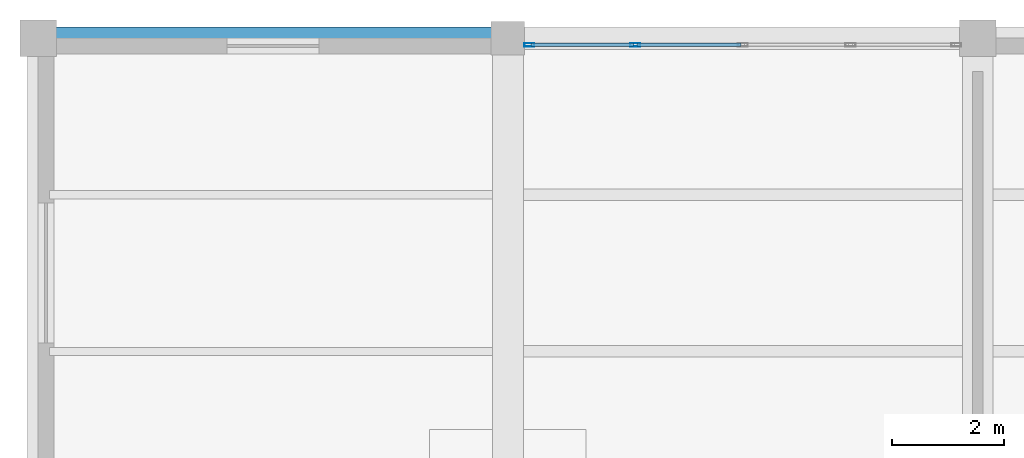
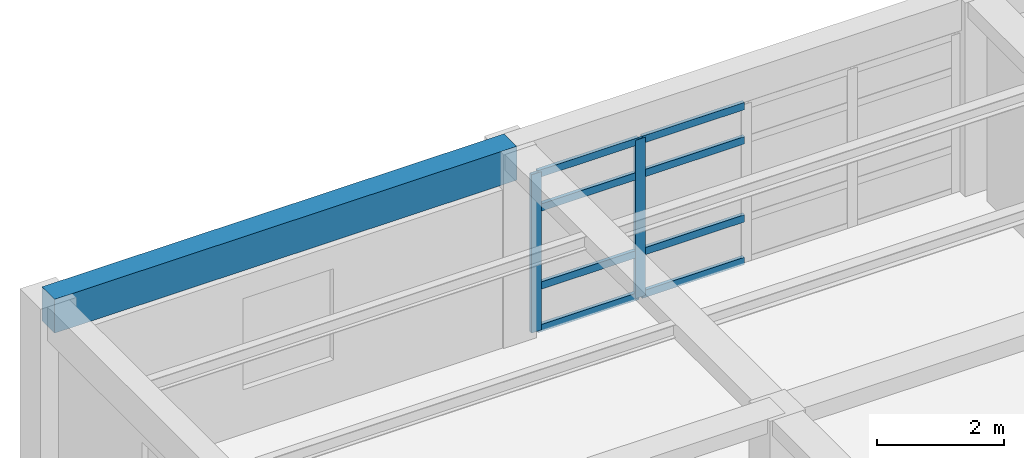
# One storey, part 16 of 25: 10 members, 1 beam, 1 element without a shape of its own.
"""IFC4 building model written with IfcOpenShell, lengths in metres."""

import ifcopenshell
import ifcopenshell.guid

model = None  # the IFC model being written
_history = None  # IfcOwnerHistory: only IFC2X3 demands one
_inside = {}  # id of a spatial element -> (the spatial element, [elements in it])
_under = {}  # id of a project, library or spatial element -> (it, [spatial elements below it])
_declared = {}  # id of a project -> (the project, [libraries it declares])
_typed = {}  # id of a type object -> (the type object, [elements of that type])
_made_of = {}  # id of a material, layer set ... -> (it, [elements and type objects made of it])


def new_model(schema):
    """Start an empty IFC model of exactly this schema.

    Asked for "IFC4X3", IfcOpenShell would pick the latest addendum, in which some entities
    have other attributes; the version numbers below select the first issue.
    IFC2X3 requires an IfcOwnerHistory on every rooted entity: one is made here for all.
    """
    global model, _history
    if schema == "IFC4X3":
        model = ifcopenshell.file(schema_version=(4, 3, 0, 0))
    else:
        model = ifcopenshell.file(schema=schema)
    _inside.clear()
    _under.clear()
    _declared.clear()
    _typed.clear()
    _made_of.clear()
    _history = None
    if model.schema == "IFC2X3":
        org = make("IfcOrganization", Name="unknown")
        user = make(
            "IfcPersonAndOrganization",
            ThePerson=make("IfcPerson", FamilyName="unknown"),
            TheOrganization=org,
        )
        app = make(
            "IfcApplication",
            ApplicationDeveloper=org,
            Version="unknown",
            ApplicationFullName="unknown",
            ApplicationIdentifier="unknown",
        )
        _history = make(
            "IfcOwnerHistory",
            OwningUser=user,
            OwningApplication=app,
            ChangeAction="ADDED",
            CreationDate=0,
        )
    return model


def make(cls, **values):
    """One entity of the class cls with the attributes given. An attribute that is None is left unset."""
    return model.create_entity(
        cls, **{name: value for name, value in values.items() if value is not None}
    )


def rooted(cls, **values):
    """An entity with a GlobalId (a new one), such as an element, a storey or a relation."""
    return make(cls, GlobalId=ifcopenshell.guid.new(), OwnerHistory=_history, **values)


def si_unit(unit_type, name, prefix=None):
    """IfcSIUnit, for example si_unit("LENGTHUNIT", "METRE", prefix="MILLI")."""
    return make("IfcSIUnit", UnitType=unit_type, Prefix=prefix, Name=name)


def assignment(units):
    """IfcUnitAssignment: the units of a project."""
    return None if units is None else make("IfcUnitAssignment", Units=units)


def point(xyz):
    """IfcCartesianPoint."""
    return None if xyz is None else make("IfcCartesianPoint", Coordinates=xyz)


def direction(xyz):
    """IfcDirection."""
    return None if xyz is None else make("IfcDirection", DirectionRatios=xyz)


def frame(location, z_axis=None, x_axis=None):
    """IfcAxis2Placement3D, a coordinate frame: its origin and axes. An axis left out is left unset."""
    return make(
        "IfcAxis2Placement3D",
        Location=point(location),
        Axis=direction(z_axis),
        RefDirection=direction(x_axis),
    )


def frame_2d(location, x_axis=None):
    """IfcAxis2Placement2D, a coordinate frame in the plane: its origin and x axis."""
    return make(
        "IfcAxis2Placement2D", Location=point(location), RefDirection=direction(x_axis)
    )


def origin():
    """The frame at (0, 0, 0) with its axes left unset."""
    return frame((0.0, 0.0, 0.0))


def origin_2d():
    """The frame at (0, 0) in the plane with its x axis left unset."""
    return frame_2d((0.0, 0.0))


def place(relative_to, where):
    """IfcLocalPlacement: puts the frame where relative to a parent placement (None: the world)."""
    return make(
        "IfcLocalPlacement", PlacementRelTo=relative_to, RelativePlacement=where
    )


def context(
    kind, dimensions, precision=None, world=None, true_north=None, identifier=None
):
    """IfcGeometricRepresentationContext, for example the 3D "Model" context."""
    return make(
        "IfcGeometricRepresentationContext",
        ContextIdentifier=identifier,
        ContextType=kind,
        CoordinateSpaceDimension=dimensions,
        Precision=precision,
        WorldCoordinateSystem=world,
        TrueNorth=true_north,
    )


def subcontext(parent, identifier, kind, view, scale=None):
    """IfcGeometricRepresentationSubContext, for example "Body" below "Model"."""
    return make(
        "IfcGeometricRepresentationSubContext",
        ContextIdentifier=identifier,
        ContextType=kind,
        ParentContext=parent,
        TargetScale=scale,
        TargetView=view,
    )


def project(units=None, contexts=None):
    """IfcProject with its units and contexts."""
    return rooted(
        "IfcProject",
        Name="project",
        RepresentationContexts=contexts,
        UnitsInContext=assignment(units),
    )


def spatial(cls, under=None, at=None, **own):
    """A site, building, storey or space (cls), placed at a placement, below another one or the project."""
    s = rooted(cls, ObjectPlacement=at, **own)
    if under is not None:
        _under.setdefault(under.id(), (under, []))[1].append(s)
    return s


def profile(cls, at=None, kind="AREA", **sizes):
    """A parametric profile (cls). Its sizes go by their IFC names, for example OverallWidth=200.0."""
    return make(cls, ProfileType=kind, Position=at, **sizes)


def rectangle(**sizes):
    """IfcRectangleProfileDef."""
    return profile("IfcRectangleProfileDef", **sizes)


def hollow_rectangle(**sizes):
    """IfcRectangleHollowProfileDef."""
    return profile("IfcRectangleHollowProfileDef", **sizes)


def extrude(swept, where, along, depth):
    """IfcExtrudedAreaSolid: the profile swept, set in the frame where, extruded along a direction by depth."""
    return make(
        "IfcExtrudedAreaSolid",
        SweptArea=swept,
        Position=where,
        ExtrudedDirection=direction(along),
        Depth=depth,
    )


def shape(context_of_items, identifier, shape_type, items):
    """IfcShapeRepresentation: the items that make up one representation, for example the "Body"."""
    return make(
        "IfcShapeRepresentation",
        ContextOfItems=context_of_items,
        RepresentationIdentifier=identifier,
        RepresentationType=shape_type,
        Items=items,
    )


def material(Name=None, Category=None):
    """IfcMaterial."""
    return make("IfcMaterial", Name=Name, Category=Category)


def material_profile(
    of_material, cross_section, Name=None, Category=None, Priority=None
):
    """IfcMaterialProfile: a cross section and its material."""
    return make(
        "IfcMaterialProfile",
        Name=Name,
        Material=of_material,
        Profile=cross_section,
        Priority=Priority,
        Category=Category,
    )


def profile_set(profiles, Name=None, composite=None):
    """IfcMaterialProfileSet."""
    return make(
        "IfcMaterialProfileSet",
        Name=Name,
        MaterialProfiles=profiles,
        CompositeProfile=composite,
    )


def made_of(thing, what):
    """Note that an element or type object is made of a material, layer set ...; save() writes the relation."""
    if what is not None:
        _made_of.setdefault(what.id(), (what, []))[1].append(thing)
    return thing


def type_object(cls, material=None, **own):
    """A type object (cls), such as IfcWallType, which elements share."""
    return made_of(rooted(cls, **own), material)


def element(
    cls,
    number,
    at=None,
    inside=None,
    cuts=None,
    type_object=None,
    material=None,
    context=None,
    identifier="Body",
    shape_type=None,
    held_by="IfcProductDefinitionShape",
    body=None,
    shapes=None,
    **own,
):
    """One element of the class cls, such as IfcWall. Its Tag is "e" and its number.

    at: its placement. inside: the storey or other place that contains it. cuts: it is an
    opening in that element (IfcRelVoidsElement). A single representation is given by context,
    identifier, shape_type and body (its items); several are given by shapes. held_by: the class
    of the entity that holds the representations. save() writes the other relations.
    """
    e = rooted(cls, Tag="e%d" % number, ObjectPlacement=at, **own)
    if body is not None:
        shapes = [shape(context, identifier, shape_type, body)]
    if shapes is not None:
        e.Representation = make(held_by, Representations=shapes)
    if inside is not None:
        _inside.setdefault(inside.id(), (inside, []))[1].append(e)
    if cuts is not None:
        rooted(
            "IfcRelVoidsElement", RelatingBuildingElement=cuts, RelatedOpeningElement=e
        )
    if type_object is not None:
        _typed.setdefault(type_object.id(), (type_object, []))[1].append(e)
    return made_of(e, material)


def aggregate(whole, parts):
    """IfcRelAggregates: a whole, such as a stair, and the parts it consists of."""
    return rooted("IfcRelAggregates", RelatingObject=whole, RelatedObjects=parts)


def save(model, path):
    """Write the relations noted so far, then the file.

    IfcRelAggregates (storeys below a building ...), IfcRelContainedInSpatialStructure (elements
    in a storey), IfcRelDefinesByType, IfcRelAssociatesMaterial and IfcRelDeclares: one each for
    every whole, place, type object, material and project.
    """
    for whole, parts in _under.values():
        aggregate(whole, parts)
    for where, things in _inside.values():
        rooted(
            "IfcRelContainedInSpatialStructure",
            RelatedElements=things,
            RelatingStructure=where,
        )
    for kind, things in _typed.values():
        rooted("IfcRelDefinesByType", RelatedObjects=things, RelatingType=kind)
    for what, things in _made_of.values():
        rooted("IfcRelAssociatesMaterial", RelatedObjects=things, RelatingMaterial=what)
    for by, libraries in _declared.values():
        rooted("IfcRelDeclares", RelatingContext=by, RelatedDefinitions=libraries)
    model.write(path)


model = new_model("IFC4")

# Units and contexts
model_context = context("Model", 3, precision=1e-05, world=origin(), true_north=direction((0.0, 1.0)))
body_context = subcontext(model_context, "Body", "Model", "MODEL_VIEW")
ifc_project = project(units=[si_unit("LENGTHUNIT", "METRE"), si_unit("AREAUNIT", "SQUARE_METRE"), si_unit("VOLUMEUNIT", "CUBIC_METRE"), si_unit("PLANEANGLEUNIT", "RADIAN"), si_unit("MASSUNIT", "GRAM", prefix="KILO")], contexts=[model_context])

# Site, building, storey
site_placement = place(None, origin())
site = spatial("IfcSite", under=ifc_project, at=site_placement, CompositionType="ELEMENT")
building_placement = place(site_placement, origin())
building = spatial("IfcBuilding", under=site, at=building_placement, Name="Almacenes y Pasaje Nevantli", CompositionType="ELEMENT")
storey_placement = place(building_placement, frame((0.0, 0.0, 50.699951171875)))
storey = spatial("IfcBuildingStorey", under=building, at=storey_placement, Name="L12", CompositionType="ELEMENT", Elevation=50.699951171875)

# Beam
ifc_material_1 = material(Name="Concrete C35/45", Category="concrete")
ifc_material_profile_1 = material_profile(ifc_material_1, rectangle(XDim=0.39990234375, YDim=0.64990234375, at=origin_2d()), Name="RC-BM-400x650")
ifc_profile_set_1 = profile_set([ifc_material_profile_1], Name="Concrete C35/45")
beam_type = type_object("IfcBeamType", Name="BM-RC-400x650", PredefinedType="SPANDREL", material=ifc_profile_set_1)
beam_placement = place(storey_placement, frame((117.60009765625, 100.800048828125, 3.39501953125), z_axis=(1.0, 0.0, 0.0), x_axis=(0.0, 1.0, 0.0)))
element("IfcBeam", 1, at=beam_placement, inside=storey, type_object=beam_type, Name="L12 East-West Reinforced Concrete Beam #3911", PredefinedType="SPANDREL", context=body_context, shape_type="SweptSolid", body=[
    extrude(rectangle(XDim=0.39990234375, YDim=0.64990234375, at=origin_2d()), origin(), (0.0, 0.0, 1.0), 8.39990234375),
])

# Curtain wall, members
ifc_material_2 = material(Name="Thermally Broken Aluminium and Low-E Glass", Category="aluminium")
curtain_wall_type = type_object("IfcCurtainWallType", Name="CW-UNIT-TOWER", PredefinedType="USERDEFINED", material=ifc_material_2)
curtain_wall_placement = place(storey_placement, origin())
curtain_wall = element("IfcCurtainWall", 2, at=curtain_wall_placement, inside=storey, type_object=curtain_wall_type, Name="L12 Tower North Boulevard Unitized Curtain Wall Bay 16", ObjectType="UNITIZED CURTAIN WALL", PredefinedType="USERDEFINED")
ifc_material_3 = material(Name="Thermally Broken Anodized Aluminium", Category="aluminium")
ifc_material_profile_2 = material_profile(ifc_material_3, hollow_rectangle(XDim=0.06494140625, YDim=0.179931640625, WallThickness=0.00390625, at=origin_2d()), Name="ALU-MUL-65x180")
ifc_profile_set_2 = profile_set([ifc_material_profile_2], Name="Thermally Broken Anodized Aluminium")
member_type_1 = type_object("IfcMemberType", Name="CW-MUL-200", PredefinedType="MULLION", material=ifc_profile_set_2)
member_1_placement = place(storey_placement, frame((126.382568359375, 100.679931640625, 0.0), z_axis=(0.0, 0.0, 1.0), x_axis=(0.0, 1.0, 0.0)))
member_1 = element("IfcMember", 3, at=member_1_placement, type_object=member_type_1, Name="CW-L12-160 mullion 1", PredefinedType="MULLION", context=body_context, shape_type="SweptSolid", body=[
    extrude(hollow_rectangle(XDim=0.06494140625, YDim=0.179931640625, WallThickness=0.00390625, at=origin_2d()), origin(), (0.0, 0.0, 1.0), 3.0400390625),
])
member_2_placement = place(storey_placement, frame((128.27490234375, 100.679931640625, 0.0), z_axis=(0.0, 0.0, 1.0), x_axis=(0.0, 1.0, 0.0)))
member_2 = element("IfcMember", 4, at=member_2_placement, type_object=member_type_1, Name="CW-L12-160 mullion 2", PredefinedType="MULLION", context=body_context, shape_type="SweptSolid", body=[
    extrude(hollow_rectangle(XDim=0.06494140625, YDim=0.179931640625, WallThickness=0.00390625, at=origin_2d()), origin(), (0.0, 0.0, 1.0), 3.0400390625),
])
ifc_material_4 = material(Name="Thermally Broken Anodized Aluminium", Category="aluminium")
ifc_material_profile_3 = material_profile(ifc_material_4, hollow_rectangle(XDim=0.06494140625, YDim=0.139892578125, WallThickness=0.00390625, at=origin_2d()), Name="ALU-TRN-65x140")
ifc_profile_set_3 = profile_set([ifc_material_profile_3], Name="Thermally Broken Anodized Aluminium")
member_type_2 = type_object("IfcMemberType", Name="CW-TRN-150", PredefinedType="USERDEFINED", material=ifc_profile_set_3)
member_3_placement = place(storey_placement, frame((126.4150390625, 100.679931640625, 0.032470703125), z_axis=(1.0, 0.0, 0.0), x_axis=(0.0, 1.0, 0.0)))
member_3 = element("IfcMember", 5, at=member_3_placement, type_object=member_type_2, Name="CW-L12-160 transom 1.1", ObjectType="TRANSOM", PredefinedType="USERDEFINED", context=body_context, shape_type="SweptSolid", body=[
    extrude(hollow_rectangle(XDim=0.06494140625, YDim=0.139892578125, WallThickness=0.00390625, at=origin_2d()), origin(), (0.0, 0.0, 1.0), 1.827392578125),
])
member_4_placement = place(storey_placement, frame((126.4150390625, 100.679931640625, 0.85009765625), z_axis=(1.0, 0.0, 0.0), x_axis=(0.0, 1.0, 0.0)))
member_4 = element("IfcMember", 6, at=member_4_placement, type_object=member_type_2, Name="CW-L12-160 transom 1.2", ObjectType="TRANSOM", PredefinedType="USERDEFINED", context=body_context, shape_type="SweptSolid", body=[
    extrude(hollow_rectangle(XDim=0.06494140625, YDim=0.139892578125, WallThickness=0.00390625, at=origin_2d()), origin(), (0.0, 0.0, 1.0), 1.827392578125),
])
member_5_placement = place(storey_placement, frame((126.4150390625, 100.679931640625, 2.35009765625), z_axis=(1.0, 0.0, 0.0), x_axis=(0.0, 1.0, 0.0)))
member_5 = element("IfcMember", 7, at=member_5_placement, type_object=member_type_2, Name="CW-L12-160 transom 1.3", ObjectType="TRANSOM", PredefinedType="USERDEFINED", context=body_context, shape_type="SweptSolid", body=[
    extrude(hollow_rectangle(XDim=0.06494140625, YDim=0.139892578125, WallThickness=0.00390625, at=origin_2d()), origin(), (0.0, 0.0, 1.0), 1.827392578125),
])
member_6_placement = place(storey_placement, frame((126.4150390625, 100.679931640625, 3.007568359375), z_axis=(1.0, 0.0, 0.0), x_axis=(0.0, 1.0, 0.0)))
member_6 = element("IfcMember", 8, at=member_6_placement, type_object=member_type_2, Name="CW-L12-160 transom 1.4", ObjectType="TRANSOM", PredefinedType="USERDEFINED", context=body_context, shape_type="SweptSolid", body=[
    extrude(hollow_rectangle(XDim=0.06494140625, YDim=0.139892578125, WallThickness=0.00390625, at=origin_2d()), origin(), (0.0, 0.0, 1.0), 1.827392578125),
])
member_7_placement = place(storey_placement, frame((128.3076171875, 100.679931640625, 0.032470703125), z_axis=(1.0, 0.0, 0.0), x_axis=(0.0, 1.0, 0.0)))
member_7 = element("IfcMember", 9, at=member_7_placement, type_object=member_type_2, Name="CW-L12-160 transom 2.1", ObjectType="TRANSOM", PredefinedType="USERDEFINED", context=body_context, shape_type="SweptSolid", body=[
    extrude(hollow_rectangle(XDim=0.06494140625, YDim=0.139892578125, WallThickness=0.00390625, at=origin_2d()), origin(), (0.0, 0.0, 1.0), 1.85986328125),
])
member_8_placement = place(storey_placement, frame((128.3076171875, 100.679931640625, 0.85009765625), z_axis=(1.0, 0.0, 0.0), x_axis=(0.0, 1.0, 0.0)))
member_8 = element("IfcMember", 10, at=member_8_placement, type_object=member_type_2, Name="CW-L12-160 transom 2.2", ObjectType="TRANSOM", PredefinedType="USERDEFINED", context=body_context, shape_type="SweptSolid", body=[
    extrude(hollow_rectangle(XDim=0.06494140625, YDim=0.139892578125, WallThickness=0.00390625, at=origin_2d()), origin(), (0.0, 0.0, 1.0), 1.85986328125),
])
member_9_placement = place(storey_placement, frame((128.3076171875, 100.679931640625, 2.35009765625), z_axis=(1.0, 0.0, 0.0), x_axis=(0.0, 1.0, 0.0)))
member_9 = element("IfcMember", 11, at=member_9_placement, type_object=member_type_2, Name="CW-L12-160 transom 2.3", ObjectType="TRANSOM", PredefinedType="USERDEFINED", context=body_context, shape_type="SweptSolid", body=[
    extrude(hollow_rectangle(XDim=0.06494140625, YDim=0.139892578125, WallThickness=0.00390625, at=origin_2d()), origin(), (0.0, 0.0, 1.0), 1.85986328125),
])
member_10_placement = place(storey_placement, frame((128.3076171875, 100.679931640625, 3.007568359375), z_axis=(1.0, 0.0, 0.0), x_axis=(0.0, 1.0, 0.0)))
member_10 = element("IfcMember", 12, at=member_10_placement, type_object=member_type_2, Name="CW-L12-160 transom 2.4", ObjectType="TRANSOM", PredefinedType="USERDEFINED", context=body_context, shape_type="SweptSolid", body=[
    extrude(hollow_rectangle(XDim=0.06494140625, YDim=0.139892578125, WallThickness=0.00390625, at=origin_2d()), origin(), (0.0, 0.0, 1.0), 1.85986328125),
])
aggregate(curtain_wall, [member_1, member_2, member_3, member_4, member_5, member_6, member_7, member_8, member_9, member_10])

save(model, "model.ifc")
